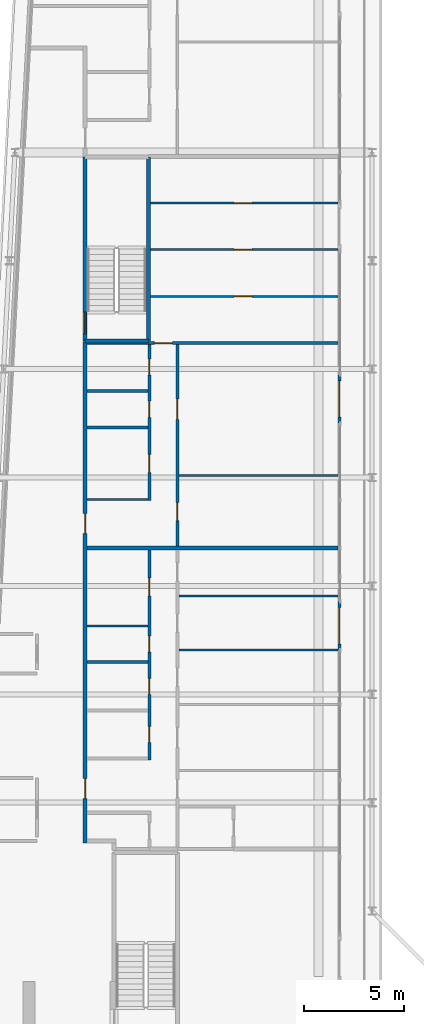
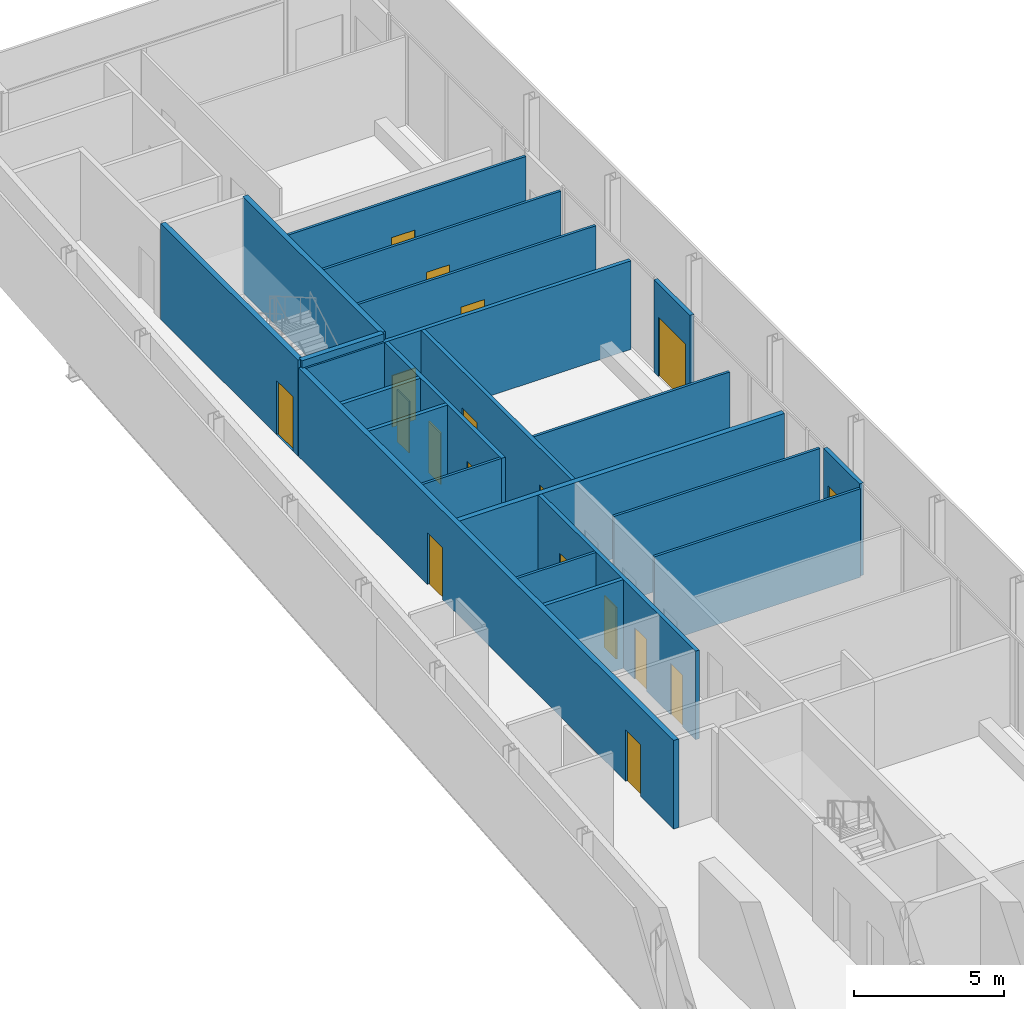
# One storey, part 14 of 21: 22 walls, 18 doors, 18 openings.
"""IFC4 building model written with IfcOpenShell, lengths in metres."""

from ifc_helpers import new_model, si_unit, direction, frame, frame_2d, origin, place, context, subcontext, project, spatial, rectangle, extrude, source, transform, mapped, material, layer, layer_set, type_object, element, fill, save


model = new_model("IFC4")

# Units and contexts
model_context = context("Model", 3, precision=1e-05, world=origin(), true_north=direction((0.0, 1.0)))
body_context = subcontext(model_context, "Body", "Model", "MODEL_VIEW")
ifc_project = project(units=[si_unit("LENGTHUNIT", "METRE"), si_unit("AREAUNIT", "SQUARE_METRE"), si_unit("VOLUMEUNIT", "CUBIC_METRE"), si_unit("PLANEANGLEUNIT", "RADIAN"), si_unit("MASSUNIT", "GRAM", prefix="KILO")], contexts=[model_context])

# Site, building, storey
site_placement = place(None, origin())
site = spatial("IfcSite", under=ifc_project, at=site_placement, CompositionType="ELEMENT")
building_placement = place(site_placement, origin())
building = spatial("IfcBuilding", under=site, at=building_placement, Name="Kheshtan School and Residences Tower", CompositionType="ELEMENT")
storey_placement = place(building_placement, frame((0.0, 0.0, 309.800048828125)))
storey = spatial("IfcBuildingStorey", under=building, at=storey_placement, Name="L73", CompositionType="ELEMENT", Elevation=309.800048828125)

# Wall, openings, doors
ifc_material_1 = material(Name="Gypsum board on steel studs with fire boards", Category="steel")
ifc_layer_1 = layer(ifc_material_1, 0.199951171875)
ifc_layer_set_1 = layer_set([ifc_layer_1], Name="Corridor wall 200")
wall_type_1 = type_object("IfcWallType", Name="Corridor wall 200", PredefinedType="PARTITIONING", material=ifc_layer_set_1)
wall_1_placement = place(storey_placement, frame((33.300048828125, 54.39990234375, 0.0), z_axis=(0.0, 0.0, 1.0), x_axis=(0.0, 1.0, 0.0)))
wall_1 = element("IfcWall", 1, at=wall_1_placement, inside=storey, type_object=wall_type_1, Name="Partition L73-003", PredefinedType="PARTITIONING", context=body_context, shape_type="SweptSolid", body=[
    extrude(rectangle(XDim=24.97509765625, YDim=0.199951171875, at=frame_2d((12.487548828125, 0.0))), origin(), (0.0, 0.0, 1.0), 3.599853515625),
])
opening_1_placement = place(wall_1_placement, frame((2.199951171875, 0.0, 0.0)))
opening_1 = element("IfcOpeningElement", 2, at=opening_1_placement, cuts=wall_1, Name="Opening D72-014", PredefinedType="OPENING", context=body_context, shape_type="SweptSolid", body=[
    extrude(rectangle(XDim=1.0, YDim=2.10009765625, at=frame_2d((0.5, 1.050048828125))), frame((0.0, 0.10986328125, 0.0), z_axis=(0.0, -1.0, 0.0), x_axis=(1.0, 0.0, 0.0)), (0.0, 0.0, 1.0), 0.219970703125),
])
opening_2_placement = place(wall_1_placement, frame((15.39990234375, 0.0, 0.0)))
opening_2 = element("IfcOpeningElement", 3, at=opening_2_placement, cuts=wall_1, Name="Opening D72-023", PredefinedType="OPENING", context=body_context, shape_type="SweptSolid", body=[
    extrude(rectangle(XDim=1.0, YDim=2.10009765625, at=frame_2d((0.5, 1.050048828125))), frame((0.0, 0.10986328125, 0.0), z_axis=(0.0, -1.0, 0.0), x_axis=(1.0, 0.0, 0.0)), (0.0, 0.0, 1.0), 0.219970703125),
])
ifc_material_2 = material(Name="Steel-framed fire-resisting door leaf", Category="steel")
door_type_1 = type_object("IfcDoorType", Name="Fire door FD30S 1000 x 2100", OperationType="SINGLE_SWING_LEFT", PredefinedType="DOOR", material=ifc_material_2)
shared_shape_1 = source(origin(), body_context, "Body", "SweptSolid", [
    extrude(rectangle(XDim=1.0, YDim=2.10009765625, at=frame_2d((0.5, 1.050048828125))), frame((0.0, 0.02490234375, 0.0), z_axis=(0.0, -1.0, 0.0), x_axis=(1.0, 0.0, 0.0)), (0.0, 0.0, 1.0), 0.050048828125),
])
door_1_placement = place(opening_1_placement, origin())
door_1 = element("IfcDoor", 4, at=door_1_placement, inside=storey, type_object=door_type_1, Name="Door D72-014", OperationType="SINGLE_SWING_RIGHT", OverallHeight=2.10009765625, OverallWidth=1.0, PredefinedType="DOOR", context=body_context, shape_type="MappedRepresentation", body=[
    mapped(shared_shape_1, transform((0.0, 0.0, 0.0), x_axis=(1.0, 0.0, 0.0), y_axis=(0.0, 1.0, 0.0), z_axis=(0.0, 0.0, 1.0), scale=1.0)),
])
fill(opening_1, door_1)
door_2_placement = place(opening_2_placement, origin())
door_2 = element("IfcDoor", 5, at=door_2_placement, inside=storey, type_object=door_type_1, Name="Door D72-023", OperationType="SINGLE_SWING_LEFT", OverallHeight=2.10009765625, OverallWidth=1.0, PredefinedType="DOOR", context=body_context, shape_type="MappedRepresentation", body=[
    mapped(shared_shape_1, transform((0.0, 0.0, 0.0), x_axis=(1.0, 0.0, 0.0), y_axis=(0.0, 1.0, 0.0), z_axis=(0.0, 0.0, 1.0), scale=1.0)),
])
fill(opening_2, door_2)

# Wall, opening, door
ifc_material_3 = material(Name="Aluminium frame wall with insulated infill", Category="aluminium")
ifc_layer_2 = layer(ifc_material_3, 0.14990234375)
ifc_layer_set_2 = layer_set([ifc_layer_2], Name="Glazing frame wall 150")
wall_type_2 = type_object("IfcWallType", Name="Glazing frame wall 150", PredefinedType="SOLIDWALL", material=ifc_layer_set_2)
wall_2_placement = place(storey_placement, frame((45.97509765625, 77.7119140625, 0.0), z_axis=(0.0, 0.0, 1.0), x_axis=(0.0, -1.0, 0.0)))
wall_2 = element("IfcWall", 6, at=wall_2_placement, inside=storey, type_object=wall_type_2, Name="Balcony door wall L73 8.3", PredefinedType="SOLIDWALL", context=body_context, shape_type="SweptSolid", body=[
    extrude(rectangle(XDim=2.39990234375, YDim=0.14990234375, at=frame_2d((1.199951171875, 0.0))), origin(), (0.0, 0.0, 1.0), 3.75),
])
opening_3_placement = place(wall_2_placement, frame((0.300048828125, 0.0, 0.0)))
opening_3 = element("IfcOpeningElement", 7, at=opening_3_placement, cuts=wall_2, Name="Opening BD", PredefinedType="OPENING", context=body_context, shape_type="SweptSolid", body=[
    extrude(rectangle(XDim=1.800048828125, YDim=2.39990234375, at=frame_2d((0.89990234375, 1.199951171875))), frame((0.0, 0.0849609375, 0.0), z_axis=(0.0, -1.0, 0.0), x_axis=(1.0, 0.0, 0.0)), (0.0, 0.0, 1.0), 0.169921875),
])
ifc_material_4 = material(Name="Clear low-e glass in thermally broken aluminium frame", Category="aluminium")
door_type_2 = type_object("IfcDoorType", Name="Balcony sliding door", OperationType="SLIDING_TO_LEFT", PredefinedType="DOOR", material=ifc_material_4)
shared_shape_2 = source(origin(), body_context, "Body", "SweptSolid", [
    extrude(rectangle(XDim=1.800048828125, YDim=2.39990234375, at=frame_2d((0.89990234375, 1.199951171875))), frame((0.0, 0.02490234375, 0.0), z_axis=(0.0, -1.0, 0.0), x_axis=(1.0, 0.0, 0.0)), (0.0, 0.0, 1.0), 0.050048828125),
])
door_3_placement = place(opening_3_placement, origin())
door_3 = element("IfcDoor", 8, at=door_3_placement, inside=storey, type_object=door_type_2, Name="Balcony door L73 8.3", OperationType="SLIDING_TO_LEFT", OverallHeight=2.39990234375, OverallWidth=1.800048828125, PredefinedType="DOOR", context=body_context, shape_type="MappedRepresentation", body=[
    mapped(shared_shape_2, transform((0.0, 0.0, 0.0), x_axis=(1.0, 0.0, 0.0), y_axis=(0.0, 1.0, 0.0), z_axis=(0.0, 0.0, 1.0), scale=1.0)),
])
fill(opening_3, door_3)

wall_3_placement = place(storey_placement, frame((45.97509765625, 66.41796875, 0.0), z_axis=(0.0, 0.0, 1.0), x_axis=(0.0, -1.0, 0.0)))
wall_3 = element("IfcWall", 9, at=wall_3_placement, inside=storey, type_object=wall_type_2, Name="Balcony door wall L73 8.4", PredefinedType="SOLIDWALL", context=body_context, shape_type="SweptSolid", body=[
    extrude(rectangle(XDim=2.39990234375, YDim=0.14990234375, at=frame_2d((1.199951171875, 0.0))), origin(), (0.0, 0.0, 1.0), 3.75),
])
opening_4_placement = place(wall_3_placement, frame((0.300048828125, 0.0, 0.0)))
opening_4 = element("IfcOpeningElement", 10, at=opening_4_placement, cuts=wall_3, Name="Opening BD", PredefinedType="OPENING", context=body_context, shape_type="SweptSolid", body=[
    extrude(rectangle(XDim=1.800048828125, YDim=2.39990234375, at=frame_2d((0.89990234375, 1.199951171875))), frame((0.0, 0.0849609375, 0.0), z_axis=(0.0, -1.0, 0.0), x_axis=(1.0, 0.0, 0.0)), (0.0, 0.0, 1.0), 0.169921875),
])
door_4_placement = place(opening_4_placement, origin())
door_4 = element("IfcDoor", 11, at=door_4_placement, inside=storey, type_object=door_type_2, Name="Balcony door L73 8.4", OperationType="SLIDING_TO_LEFT", OverallHeight=2.39990234375, OverallWidth=1.800048828125, PredefinedType="DOOR", context=body_context, shape_type="MappedRepresentation", body=[
    mapped(shared_shape_2, transform((0.0, 0.0, 0.0), x_axis=(1.0, 0.0, 0.0), y_axis=(0.0, 1.0, 0.0), z_axis=(0.0, 0.0, 1.0), scale=1.0)),
])
fill(opening_4, door_4)

# Walls
ifc_material_5 = material(Name="Gypsum board on steel studs", Category="steel")
ifc_layer_3 = layer(ifc_material_5, 0.10009765625)
ifc_layer_set_3 = layer_set([ifc_layer_3], Name="Gypsum partition 100")
wall_type_3 = type_object("IfcWallType", Name="Gypsum partition 100", PredefinedType="PARTITIONING", material=ifc_layer_set_3)
for number, where, z_axis, x_axis, name in (
    (12, (33.39990234375, 65.199951171875, 0.0), (0.0, 0.0, 1.0), (1.0, 0.0, 0.0), "Partition L73-010"),
    (13, (33.39990234375, 71.5, 0.0), (0.0, 0.0, 1.0), (1.0, 0.0, 0.0), "Partition L73-012"),
):
    element("IfcWall", number, at=place(storey_placement, frame(where, z_axis=z_axis, x_axis=x_axis)), inside=storey, type_object=wall_type_3, Name=name, PredefinedType="PARTITIONING", context=body_context, shape_type="SweptSolid", body=[
        extrude(rectangle(XDim=3.025146484375, YDim=0.10009765625, at=frame_2d((1.5126953125, 0.0))), origin(), (0.0, 0.0, 1.0), 3.599853515625),
    ])

# Wall, opening, door
wall_4_placement = place(storey_placement, frame((36.549072265625, 81.625, 0.0), z_axis=(0.0, 0.0, 1.0), x_axis=(1.0, 0.0, 0.0)))
wall_4 = element("IfcWall", 14, at=wall_4_placement, inside=storey, type_object=wall_type_3, Name="Partition L73-026", PredefinedType="PARTITIONING", context=body_context, shape_type="SweptSolid", body=[
    extrude(rectangle(XDim=9.350830078125, YDim=0.10009765625, at=frame_2d((4.67529296875, 0.0))), origin(), (0.0, 0.0, 1.0), 3.599853515625),
])
opening_5_placement = place(wall_4_placement, frame((4.176025390625, 0.0, 0.0)))
opening_5 = element("IfcOpeningElement", 15, at=opening_5_placement, cuts=wall_4, Name="Opening D72-028", PredefinedType="OPENING", context=body_context, shape_type="SweptSolid", body=[
    extrude(rectangle(XDim=0.89990234375, YDim=2.10009765625, at=frame_2d((0.449951171875, 1.050048828125))), frame((0.0, 0.06005859375, 0.0), z_axis=(0.0, -1.0, 0.0), x_axis=(1.0, 0.0, 0.0)), (0.0, 0.0, 1.0), 0.1201171875),
])
ifc_material_6 = material(Name="Veneered timber door leaf", Category="wood")
door_type_3 = type_object("IfcDoorType", Name="Door 900 x 2100", OperationType="SINGLE_SWING_LEFT", PredefinedType="DOOR", material=ifc_material_6)
shared_shape_3 = source(origin(), body_context, "Body", "SweptSolid", [
    extrude(rectangle(XDim=0.89990234375, YDim=2.10009765625, at=frame_2d((0.449951171875, 1.050048828125))), frame((0.0, 0.02490234375, 0.0), z_axis=(0.0, -1.0, 0.0), x_axis=(1.0, 0.0, 0.0)), (0.0, 0.0, 1.0), 0.050048828125),
])
door_5_placement = place(opening_5_placement, origin())
door_5 = element("IfcDoor", 16, at=door_5_placement, inside=storey, type_object=door_type_3, Name="Door D72-028", OperationType="SINGLE_SWING_RIGHT", OverallHeight=2.10009765625, OverallWidth=0.89990234375, PredefinedType="DOOR", context=body_context, shape_type="MappedRepresentation", body=[
    mapped(shared_shape_3, transform((0.0, 0.0, 0.0), x_axis=(1.0, 0.0, 0.0), y_axis=(0.0, 1.0, 0.0), z_axis=(0.0, 0.0, 1.0), scale=1.0)),
])
fill(opening_5, door_5)

wall_5_placement = place(storey_placement, frame((36.549072265625, 83.949951171875, 0.0), z_axis=(0.0, 0.0, 1.0), x_axis=(1.0, 0.0, 0.0)))
wall_5 = element("IfcWall", 17, at=wall_5_placement, inside=storey, type_object=wall_type_3, Name="Partition L73-027", PredefinedType="PARTITIONING", context=body_context, shape_type="SweptSolid", body=[
    extrude(rectangle(XDim=9.350830078125, YDim=0.10009765625, at=frame_2d((4.67529296875, 0.0))), origin(), (0.0, 0.0, 1.0), 3.599853515625),
])
opening_6_placement = place(wall_5_placement, frame((4.176025390625, 0.0, 0.0)))
opening_6 = element("IfcOpeningElement", 18, at=opening_6_placement, cuts=wall_5, Name="Opening D72-029", PredefinedType="OPENING", context=body_context, shape_type="SweptSolid", body=[
    extrude(rectangle(XDim=0.89990234375, YDim=2.10009765625, at=frame_2d((0.449951171875, 1.050048828125))), frame((0.0, 0.06005859375, 0.0), z_axis=(0.0, -1.0, 0.0), x_axis=(1.0, 0.0, 0.0)), (0.0, 0.0, 1.0), 0.1201171875),
])
door_6_placement = place(opening_6_placement, origin())
door_6 = element("IfcDoor", 19, at=door_6_placement, inside=storey, type_object=door_type_3, Name="Door D72-029", OperationType="SINGLE_SWING_RIGHT", OverallHeight=2.10009765625, OverallWidth=0.89990234375, PredefinedType="DOOR", context=body_context, shape_type="MappedRepresentation", body=[
    mapped(shared_shape_3, transform((0.0, 0.0, 0.0), x_axis=(1.0, 0.0, 0.0), y_axis=(0.0, 1.0, 0.0), z_axis=(0.0, 0.0, 1.0), scale=1.0)),
])
fill(opening_6, door_6)

wall_6_placement = place(storey_placement, frame((36.549072265625, 86.27490234375, 0.0), z_axis=(0.0, 0.0, 1.0), x_axis=(1.0, 0.0, 0.0)))
wall_6 = element("IfcWall", 20, at=wall_6_placement, inside=storey, type_object=wall_type_3, Name="Partition L73-028", PredefinedType="PARTITIONING", context=body_context, shape_type="SweptSolid", body=[
    extrude(rectangle(XDim=9.350830078125, YDim=0.10009765625, at=frame_2d((4.67529296875, 0.0))), origin(), (0.0, 0.0, 1.0), 3.599853515625),
])
opening_7_placement = place(wall_6_placement, frame((4.176025390625, 0.0, 0.0)))
opening_7 = element("IfcOpeningElement", 21, at=opening_7_placement, cuts=wall_6, Name="Opening D72-030", PredefinedType="OPENING", context=body_context, shape_type="SweptSolid", body=[
    extrude(rectangle(XDim=0.89990234375, YDim=2.10009765625, at=frame_2d((0.449951171875, 1.050048828125))), frame((0.0, 0.06005859375, 0.0), z_axis=(0.0, -1.0, 0.0), x_axis=(1.0, 0.0, 0.0)), (0.0, 0.0, 1.0), 0.1201171875),
])
door_7_placement = place(opening_7_placement, origin())
door_7 = element("IfcDoor", 22, at=door_7_placement, inside=storey, type_object=door_type_3, Name="Door D72-030", OperationType="SINGLE_SWING_RIGHT", OverallHeight=2.10009765625, OverallWidth=0.89990234375, PredefinedType="DOOR", context=body_context, shape_type="MappedRepresentation", body=[
    mapped(shared_shape_3, transform((0.0, 0.0, 0.0), x_axis=(1.0, 0.0, 0.0), y_axis=(0.0, 1.0, 0.0), z_axis=(0.0, 0.0, 1.0), scale=1.0)),
])
fill(opening_7, door_7)

# Walls
for number, where, z_axis, x_axis, name in (
    (23, (37.97509765625, 64.0, 0.0), (0.0, 0.0, 1.0), (1.0, 0.0, 0.0), "Partition L73-037"),
    (24, (37.97509765625, 66.699951171875, 0.0), (0.0, 0.0, 1.0), (1.0, 0.0, 0.0), "Partition L73-038"),
):
    element("IfcWall", number, at=place(storey_placement, frame(where, z_axis=z_axis, x_axis=x_axis)), inside=storey, type_object=wall_type_3, Name=name, PredefinedType="PARTITIONING", context=body_context, shape_type="SweptSolid", body=[
        extrude(rectangle(XDim=7.9248046875, YDim=0.10009765625, at=frame_2d((3.96240234375, 0.0))), origin(), (0.0, 0.0, 1.0), 3.599853515625),
    ])
wall_7_placement = place(storey_placement, frame((37.97509765625, 72.699951171875, 0.0), z_axis=(0.0, 0.0, 1.0), x_axis=(1.0, 0.0, 0.0)))
element("IfcWall", 25, at=wall_7_placement, inside=storey, type_object=wall_type_3, Name="Partition L73-039", PredefinedType="PARTITIONING", context=body_context, shape_type="SweptSolid", body=[
    extrude(rectangle(XDim=7.9248046875, YDim=0.10009765625, at=frame_2d((3.96240234375, 0.0))), origin(), (0.0, 0.0, 1.0), 3.072021484375),
])
ifc_material_7 = material(Name="Concrete C40/50", Category="concrete")
ifc_layer_4 = layer(ifc_material_7, 0.199951171875)
ifc_layer_set_4 = layer_set([ifc_layer_4], Name="Stair enclosure wall 200 Concrete C40/50")
wall_type_4 = type_object("IfcWallType", Name="Stair enclosure wall 200 Concrete C40/50", PredefinedType="SHEAR", material=ifc_layer_set_4)
wall_8_placement = place(storey_placement, frame((33.300048828125, 79.39990234375, 0.0), z_axis=(0.0, 0.0, 1.0), x_axis=(1.0, 0.0, 0.0)))
element("IfcWall", 26, at=wall_8_placement, inside=storey, type_object=wall_type_4, Name="Stair enclosure wall ST3", PredefinedType="SHEAR", context=body_context, shape_type="SweptSolid", body=[
    extrude(rectangle(XDim=3.14990234375, YDim=0.199951171875, at=frame_2d((1.574951171875, 0.0))), origin(), (0.0, 0.0, 1.0), 3.89990234375),
])

# Wall, opening, door
wall_9_placement = place(storey_placement, frame((33.300048828125, 79.39990234375, 0.0), z_axis=(0.0, 0.0, 1.0), x_axis=(0.0, 1.0, 0.0)))
wall_9 = element("IfcWall", 27, at=wall_9_placement, inside=storey, type_object=wall_type_4, Name="Stair enclosure wall ST3", PredefinedType="SHEAR", context=body_context, shape_type="SweptSolid", body=[
    extrude(rectangle(XDim=9.16015625, YDim=0.199951171875, at=frame_2d((4.580078125, 0.0))), origin(), (0.0, 0.0, 1.0), 3.89990234375),
])
opening_8_placement = place(wall_9_placement, frame((0.35009765625, 0.0, 0.0)))
opening_8 = element("IfcOpeningElement", 28, at=opening_8_placement, cuts=wall_9, Name="Opening ST3D", PredefinedType="OPENING", context=body_context, shape_type="SweptSolid", body=[
    extrude(rectangle(XDim=1.10009765625, YDim=2.199951171875, at=frame_2d((0.550048828125, 1.10009765625))), frame((0.0, 0.10986328125, 0.0), z_axis=(0.0, -1.0, 0.0), x_axis=(1.0, 0.0, 0.0)), (0.0, 0.0, 1.0), 0.219970703125),
])
ifc_material_8 = material(Name="Steel door leaf, galvanised", Category="steel")
door_type_4 = type_object("IfcDoorType", Name="Stair door 1100 steel 90 min", OperationType="SINGLE_SWING_LEFT", PredefinedType="DOOR", material=ifc_material_8)
shared_shape_4 = source(origin(), body_context, "Body", "SweptSolid", [
    extrude(rectangle(XDim=1.10009765625, YDim=2.199951171875, at=frame_2d((0.550048828125, 1.10009765625))), frame((0.0, 0.02490234375, 0.0), z_axis=(0.0, -1.0, 0.0), x_axis=(1.0, 0.0, 0.0)), (0.0, 0.0, 1.0), 0.050048828125),
])
door_8_placement = place(opening_8_placement, origin())
door_8 = element("IfcDoor", 29, at=door_8_placement, inside=storey, type_object=door_type_4, Name="Stair ST3 door", OperationType="SINGLE_SWING_RIGHT", OverallHeight=2.199951171875, OverallWidth=1.10009765625, PredefinedType="DOOR", context=body_context, shape_type="MappedRepresentation", body=[
    mapped(shared_shape_4, transform((0.0, 0.0, 0.0), x_axis=(1.0, 0.0, 0.0), y_axis=(0.0, 1.0, 0.0), z_axis=(0.0, 0.0, 1.0), scale=1.0)),
])
fill(opening_8, door_8)

# Walls
wall_10_placement = place(storey_placement, frame((36.449951171875, 79.39990234375, 0.0), z_axis=(0.0, 0.0, 1.0), x_axis=(0.0, 1.0, 0.0)))
element("IfcWall", 30, at=wall_10_placement, inside=storey, type_object=wall_type_4, Name="Stair enclosure wall ST3", PredefinedType="SHEAR", context=body_context, shape_type="SweptSolid", body=[
    extrude(rectangle(XDim=9.16015625, YDim=0.199951171875, at=frame_2d((4.580078125, 0.0))), origin(), (0.0, 0.0, 1.0), 3.89990234375),
])
ifc_material_9 = material(Name="Twin gypsum board on steel studs with mineral wool", Category="steel")
ifc_layer_5 = layer(ifc_material_9, 0.199951171875)
ifc_layer_set_5 = layer_set([ifc_layer_5], Name="Unit demising wall 200")
wall_type_5 = type_object("IfcWallType", Name="Unit demising wall 200", PredefinedType="PARTITIONING", material=ifc_layer_set_5)
wall_11_placement = place(storey_placement, frame((33.39990234375, 69.10009765625, 0.0), z_axis=(0.0, 0.0, 1.0), x_axis=(1.0, 0.0, 0.0)))
element("IfcWall", 31, at=wall_11_placement, inside=storey, type_object=wall_type_5, Name="Partition L73-011", PredefinedType="PARTITIONING", context=body_context, shape_type="SweptSolid", body=[
    extrude(rectangle(XDim=12.5, YDim=0.199951171875, at=frame_2d((6.25, 0.0))), origin(), (0.0, 0.0, 1.0), 3.599853515625),
])
ifc_material_10 = material(Name="Moisture-resistant gypsum board on steel studs", Category="steel")
ifc_layer_6 = layer(ifc_material_10, 0.14990234375)
ifc_layer_set_6 = layer_set([ifc_layer_6], Name="Wet-room partition 150")
wall_type_6 = type_object("IfcWallType", Name="Wet-room partition 150", PredefinedType="PARTITIONING", material=ifc_layer_set_6)
for number, where, z_axis, x_axis, name in (
    (32, (33.39990234375, 63.39990234375, 0.0), (0.0, 0.0, 1.0), (1.0, 0.0, 0.0), "Partition L73-009"),
    (33, (33.39990234375, 75.10009765625, 0.0), (0.0, 0.0, 1.0), (1.0, 0.0, 0.0), "Partition L73-013"),
    (34, (33.39990234375, 76.89990234375, 0.0), (0.0, 0.0, 1.0), (1.0, 0.0, 0.0), "Partition L73-014"),
):
    element("IfcWall", number, at=place(storey_placement, frame(where, z_axis=z_axis, x_axis=x_axis)), inside=storey, type_object=wall_type_6, Name=name, PredefinedType="PARTITIONING", context=body_context, shape_type="SweptSolid", body=[
        extrude(rectangle(XDim=3.025146484375, YDim=0.14990234375, at=frame_2d((1.5126953125, 0.0))), origin(), (0.0, 0.0, 1.0), 3.599853515625),
    ])

# Wall, opening, door
wall_12_placement = place(storey_placement, frame((33.39990234375, 79.300048828125, 0.0), z_axis=(0.0, 0.0, 1.0), x_axis=(1.0, 0.0, 0.0)))
wall_12 = element("IfcWall", 35, at=wall_12_placement, inside=storey, type_object=wall_type_6, Name="Partition L73-015", PredefinedType="PARTITIONING", context=body_context, shape_type="SweptSolid", body=[
    extrude(rectangle(XDim=12.5, YDim=0.14990234375, at=frame_2d((6.25, 0.0))), origin(), (0.0, 0.0, 1.0), 3.599853515625),
])
opening_9_placement = place(wall_12_placement, frame((3.35498046875, 0.0, 0.0)))
opening_9 = element("IfcOpeningElement", 36, at=opening_9_placement, cuts=wall_12, Name="Opening D72-027", PredefinedType="OPENING", context=body_context, shape_type="SweptSolid", body=[
    extrude(rectangle(XDim=0.89990234375, YDim=2.10009765625, at=frame_2d((0.449951171875, 1.050048828125))), frame((0.0, 0.0849609375, 0.0), z_axis=(0.0, -1.0, 0.0), x_axis=(1.0, 0.0, 0.0)), (0.0, 0.0, 1.0), 0.169921875),
])
door_9_placement = place(opening_9_placement, origin())
door_9 = element("IfcDoor", 37, at=door_9_placement, inside=storey, type_object=door_type_3, Name="Door D72-027", OperationType="SINGLE_SWING_LEFT", OverallHeight=2.10009765625, OverallWidth=0.89990234375, PredefinedType="DOOR", context=body_context, shape_type="MappedRepresentation", body=[
    mapped(shared_shape_3, transform((0.0, 0.0, 0.0), x_axis=(1.0, 0.0, 0.0), y_axis=(0.0, 1.0, 0.0), z_axis=(0.0, 0.0, 1.0), scale=1.0)),
])
fill(opening_9, door_9)

# Wall, openings, doors
wall_13_placement = place(storey_placement, frame((36.5, 58.52490234375, 0.0), z_axis=(0.0, 0.0, 1.0), x_axis=(0.0, 1.0, 0.0)))
wall_13 = element("IfcWall", 38, at=wall_13_placement, inside=storey, type_object=wall_type_6, Name="Partition L73-022", PredefinedType="PARTITIONING", context=body_context, shape_type="SweptSolid", body=[
    extrude(rectangle(XDim=10.47509765625, YDim=0.14990234375, at=frame_2d((5.237548828125, 0.0))), origin(), (0.0, 0.0, 1.0), 3.599853515625),
])
opening_10_placement = place(wall_13_placement, frame((0.875, 0.0, 0.0)))
opening_10 = element("IfcOpeningElement", 39, at=opening_10_placement, cuts=wall_13, Name="Opening D72-009", PredefinedType="OPENING", context=body_context, shape_type="SweptSolid", body=[
    extrude(rectangle(XDim=0.800048828125, YDim=2.10009765625, at=frame_2d((0.39990234375, 1.050048828125))), frame((0.0, 0.0849609375, 0.0), z_axis=(0.0, -1.0, 0.0), x_axis=(1.0, 0.0, 0.0)), (0.0, 0.0, 1.0), 0.169921875),
])
opening_11_placement = place(wall_13_placement, frame((3.27490234375, 0.0, 0.0)))
opening_11 = element("IfcOpeningElement", 40, at=opening_11_placement, cuts=wall_13, Name="Opening D72-010", PredefinedType="OPENING", context=body_context, shape_type="SweptSolid", body=[
    extrude(rectangle(XDim=0.800048828125, YDim=2.10009765625, at=frame_2d((0.39990234375, 1.050048828125))), frame((0.0, 0.0849609375, 0.0), z_axis=(0.0, -1.0, 0.0), x_axis=(1.0, 0.0, 0.0)), (0.0, 0.0, 1.0), 0.169921875),
])
opening_12_placement = place(wall_13_placement, frame((8.175048828125, 0.0, 0.0)))
opening_12 = element("IfcOpeningElement", 41, at=opening_12_placement, cuts=wall_13, Name="Opening D72-015", PredefinedType="OPENING", context=body_context, shape_type="SweptSolid", body=[
    extrude(rectangle(XDim=0.89990234375, YDim=2.10009765625, at=frame_2d((0.449951171875, 1.050048828125))), frame((0.0, 0.0849609375, 0.0), z_axis=(0.0, -1.0, 0.0), x_axis=(1.0, 0.0, 0.0)), (0.0, 0.0, 1.0), 0.169921875),
])
opening_13_placement = place(wall_13_placement, frame((5.375, 0.0, 0.0)))
opening_13 = element("IfcOpeningElement", 42, at=opening_13_placement, cuts=wall_13, Name="Opening D72-019", PredefinedType="OPENING", context=body_context, shape_type="SweptSolid", body=[
    extrude(rectangle(XDim=0.800048828125, YDim=2.10009765625, at=frame_2d((0.39990234375, 1.050048828125))), frame((0.0, 0.0849609375, 0.0), z_axis=(0.0, -1.0, 0.0), x_axis=(1.0, 0.0, 0.0)), (0.0, 0.0, 1.0), 0.169921875),
])
door_type_5 = type_object("IfcDoorType", Name="Door 800 x 2100", OperationType="SINGLE_SWING_LEFT", PredefinedType="DOOR", material=ifc_material_6)
shared_shape_5 = source(origin(), body_context, "Body", "SweptSolid", [
    extrude(rectangle(XDim=0.800048828125, YDim=2.10009765625, at=frame_2d((0.39990234375, 1.050048828125))), frame((0.0, 0.02490234375, 0.0), z_axis=(0.0, -1.0, 0.0), x_axis=(1.0, 0.0, 0.0)), (0.0, 0.0, 1.0), 0.050048828125),
])
door_10_placement = place(opening_10_placement, origin())
door_10 = element("IfcDoor", 43, at=door_10_placement, inside=storey, type_object=door_type_5, Name="Door D72-009", OperationType="SINGLE_SWING_LEFT", OverallHeight=2.10009765625, OverallWidth=0.800048828125, PredefinedType="DOOR", context=body_context, shape_type="MappedRepresentation", body=[
    mapped(shared_shape_5, transform((0.0, 0.0, 0.0), x_axis=(1.0, 0.0, 0.0), y_axis=(0.0, 1.0, 0.0), z_axis=(0.0, 0.0, 1.0), scale=1.0)),
])
fill(opening_10, door_10)
door_11_placement = place(opening_11_placement, origin())
door_11 = element("IfcDoor", 44, at=door_11_placement, inside=storey, type_object=door_type_5, Name="Door D72-010", OperationType="SINGLE_SWING_LEFT", OverallHeight=2.10009765625, OverallWidth=0.800048828125, PredefinedType="DOOR", context=body_context, shape_type="MappedRepresentation", body=[
    mapped(shared_shape_5, transform((0.0, 0.0, 0.0), x_axis=(1.0, 0.0, 0.0), y_axis=(0.0, 1.0, 0.0), z_axis=(0.0, 0.0, 1.0), scale=1.0)),
])
fill(opening_11, door_11)
door_12_placement = place(opening_13_placement, origin())
door_12 = element("IfcDoor", 45, at=door_12_placement, inside=storey, type_object=door_type_5, Name="Door D72-019", OperationType="SINGLE_SWING_RIGHT", OverallHeight=2.10009765625, OverallWidth=0.800048828125, PredefinedType="DOOR", context=body_context, shape_type="MappedRepresentation", body=[
    mapped(shared_shape_5, transform((0.0, 0.0, 0.0), x_axis=(1.0, 0.0, 0.0), y_axis=(0.0, 1.0, 0.0), z_axis=(0.0, 0.0, 1.0), scale=1.0)),
])
fill(opening_13, door_12)
door_13_placement = place(opening_12_placement, origin())
door_13 = element("IfcDoor", 46, at=door_13_placement, inside=storey, type_object=door_type_3, Name="Door D72-015", OperationType="SINGLE_SWING_RIGHT", OverallHeight=2.10009765625, OverallWidth=0.89990234375, PredefinedType="DOOR", context=body_context, shape_type="MappedRepresentation", body=[
    mapped(shared_shape_3, transform((0.0, 0.0, 0.0), x_axis=(1.0, 0.0, 0.0), y_axis=(0.0, 1.0, 0.0), z_axis=(0.0, 0.0, 1.0), scale=1.0)),
])
fill(opening_12, door_13)

wall_14_placement = place(storey_placement, frame((36.5, 71.449951171875, 0.0), z_axis=(0.0, 0.0, 1.0), x_axis=(0.0, 1.0, 0.0)))
wall_14 = element("IfcWall", 47, at=wall_14_placement, inside=storey, type_object=wall_type_6, Name="Partition L73-023", PredefinedType="PARTITIONING", context=body_context, shape_type="SweptSolid", body=[
    extrude(rectangle(XDim=7.775146484375, YDim=0.14990234375, at=frame_2d((3.8876953125, 0.0))), origin(), (0.0, 0.0, 1.0), 3.599853515625),
])
opening_14_placement = place(wall_14_placement, frame((6.25, 0.0, 0.0)))
opening_14 = element("IfcOpeningElement", 48, at=opening_14_placement, cuts=wall_14, Name="Opening D72-021", PredefinedType="OPENING", context=body_context, shape_type="SweptSolid", body=[
    extrude(rectangle(XDim=0.800048828125, YDim=2.10009765625, at=frame_2d((0.39990234375, 1.050048828125))), frame((0.0, 0.0849609375, 0.0), z_axis=(0.0, -1.0, 0.0), x_axis=(1.0, 0.0, 0.0)), (0.0, 0.0, 1.0), 0.169921875),
])
opening_15_placement = place(wall_14_placement, frame((1.39990234375, 0.0, 0.0)))
opening_15 = element("IfcOpeningElement", 49, at=opening_15_placement, cuts=wall_14, Name="Opening D72-024", PredefinedType="OPENING", context=body_context, shape_type="SweptSolid", body=[
    extrude(rectangle(XDim=0.89990234375, YDim=2.10009765625, at=frame_2d((0.449951171875, 1.050048828125))), frame((0.0, 0.0849609375, 0.0), z_axis=(0.0, -1.0, 0.0), x_axis=(1.0, 0.0, 0.0)), (0.0, 0.0, 1.0), 0.169921875),
])
opening_16_placement = place(wall_14_placement, frame((4.14990234375, 0.0, 0.0)))
opening_16 = element("IfcOpeningElement", 50, at=opening_16_placement, cuts=wall_14, Name="Opening D72-026", PredefinedType="OPENING", context=body_context, shape_type="SweptSolid", body=[
    extrude(rectangle(XDim=0.800048828125, YDim=2.10009765625, at=frame_2d((0.39990234375, 1.050048828125))), frame((0.0, 0.0849609375, 0.0), z_axis=(0.0, -1.0, 0.0), x_axis=(1.0, 0.0, 0.0)), (0.0, 0.0, 1.0), 0.169921875),
])
door_14_placement = place(opening_14_placement, origin())
door_14 = element("IfcDoor", 51, at=door_14_placement, inside=storey, type_object=door_type_5, Name="Door D72-021", OperationType="SINGLE_SWING_RIGHT", OverallHeight=2.10009765625, OverallWidth=0.800048828125, PredefinedType="DOOR", context=body_context, shape_type="MappedRepresentation", body=[
    mapped(shared_shape_5, transform((0.0, 0.0, 0.0), x_axis=(1.0, 0.0, 0.0), y_axis=(0.0, 1.0, 0.0), z_axis=(0.0, 0.0, 1.0), scale=1.0)),
])
fill(opening_14, door_14)
door_15_placement = place(opening_16_placement, origin())
door_15 = element("IfcDoor", 52, at=door_15_placement, inside=storey, type_object=door_type_5, Name="Door D72-026", OperationType="SINGLE_SWING_RIGHT", OverallHeight=2.10009765625, OverallWidth=0.800048828125, PredefinedType="DOOR", context=body_context, shape_type="MappedRepresentation", body=[
    mapped(shared_shape_5, transform((0.0, 0.0, 0.0), x_axis=(1.0, 0.0, 0.0), y_axis=(0.0, 1.0, 0.0), z_axis=(0.0, 0.0, 1.0), scale=1.0)),
])
fill(opening_16, door_15)
door_16_placement = place(opening_15_placement, origin())
door_16 = element("IfcDoor", 53, at=door_16_placement, inside=storey, type_object=door_type_3, Name="Door D72-024", OperationType="SINGLE_SWING_RIGHT", OverallHeight=2.10009765625, OverallWidth=0.89990234375, PredefinedType="DOOR", context=body_context, shape_type="MappedRepresentation", body=[
    mapped(shared_shape_3, transform((0.0, 0.0, 0.0), x_axis=(1.0, 0.0, 0.0), y_axis=(0.0, 1.0, 0.0), z_axis=(0.0, 0.0, 1.0), scale=1.0)),
])
fill(opening_15, door_16)

wall_15_placement = place(storey_placement, frame((37.89990234375, 69.199951171875, 0.0), z_axis=(0.0, 0.0, 1.0), x_axis=(0.0, 1.0, 0.0)))
wall_15 = element("IfcWall", 54, at=wall_15_placement, inside=storey, type_object=wall_type_6, Name="Partition L73-031", PredefinedType="PARTITIONING", context=body_context, shape_type="SweptSolid", body=[
    extrude(rectangle(XDim=10.025146484375, YDim=0.14990234375, at=frame_2d((5.0126953125, 0.0))), origin(), (0.0, 0.0, 1.0), 3.599853515625),
])
opening_17_placement = place(wall_15_placement, frame((1.25, 0.0, 0.0)))
opening_17 = element("IfcOpeningElement", 55, at=opening_17_placement, cuts=wall_15, Name="Opening D72-022", PredefinedType="OPENING", context=body_context, shape_type="SweptSolid", body=[
    extrude(rectangle(XDim=0.89990234375, YDim=2.10009765625, at=frame_2d((0.449951171875, 1.050048828125))), frame((0.0, 0.0849609375, 0.0), z_axis=(0.0, -1.0, 0.0), x_axis=(1.0, 0.0, 0.0)), (0.0, 0.0, 1.0), 0.169921875),
])
opening_18_placement = place(wall_15_placement, frame((6.300048828125, 0.0, 0.0)))
opening_18 = element("IfcOpeningElement", 56, at=opening_18_placement, cuts=wall_15, Name="Opening D72-025", PredefinedType="OPENING", context=body_context, shape_type="SweptSolid", body=[
    extrude(rectangle(XDim=1.0, YDim=2.10009765625, at=frame_2d((0.5, 1.050048828125))), frame((0.0, 0.0849609375, 0.0), z_axis=(0.0, -1.0, 0.0), x_axis=(1.0, 0.0, 0.0)), (0.0, 0.0, 1.0), 0.169921875),
])
door_type_6 = type_object("IfcDoorType", Name="Door 1000 x 2100", OperationType="SINGLE_SWING_LEFT", PredefinedType="DOOR", material=ifc_material_6)
shared_shape_6 = source(origin(), body_context, "Body", "SweptSolid", [
    extrude(rectangle(XDim=1.0, YDim=2.10009765625, at=frame_2d((0.5, 1.050048828125))), frame((0.0, 0.02490234375, 0.0), z_axis=(0.0, -1.0, 0.0), x_axis=(1.0, 0.0, 0.0)), (0.0, 0.0, 1.0), 0.050048828125),
])
door_17_placement = place(opening_18_placement, origin())
door_17 = element("IfcDoor", 57, at=door_17_placement, inside=storey, type_object=door_type_6, Name="Door D72-025", OperationType="SINGLE_SWING_LEFT", OverallHeight=2.10009765625, OverallWidth=1.0, PredefinedType="DOOR", context=body_context, shape_type="MappedRepresentation", body=[
    mapped(shared_shape_6, transform((0.0, 0.0, 0.0), x_axis=(1.0, 0.0, 0.0), y_axis=(0.0, 1.0, 0.0), z_axis=(0.0, 0.0, 1.0), scale=1.0)),
])
fill(opening_18, door_17)
door_18_placement = place(opening_17_placement, origin())
door_18 = element("IfcDoor", 58, at=door_18_placement, inside=storey, type_object=door_type_3, Name="Door D72-022", OperationType="SINGLE_SWING_LEFT", OverallHeight=2.10009765625, OverallWidth=0.89990234375, PredefinedType="DOOR", context=body_context, shape_type="MappedRepresentation", body=[
    mapped(shared_shape_3, transform((0.0, 0.0, 0.0), x_axis=(1.0, 0.0, 0.0), y_axis=(0.0, 1.0, 0.0), z_axis=(0.0, 0.0, 1.0), scale=1.0)),
])
fill(opening_17, door_18)

save(model, "model.ifc")
